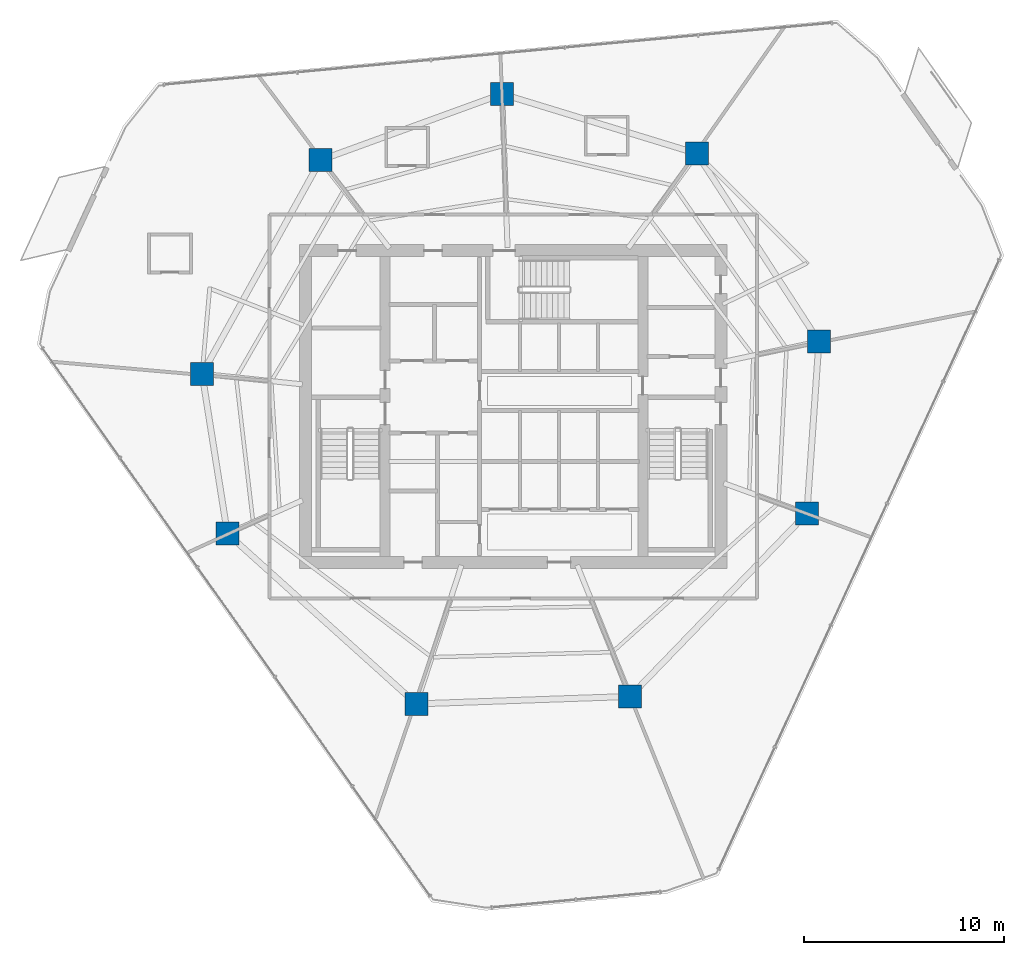
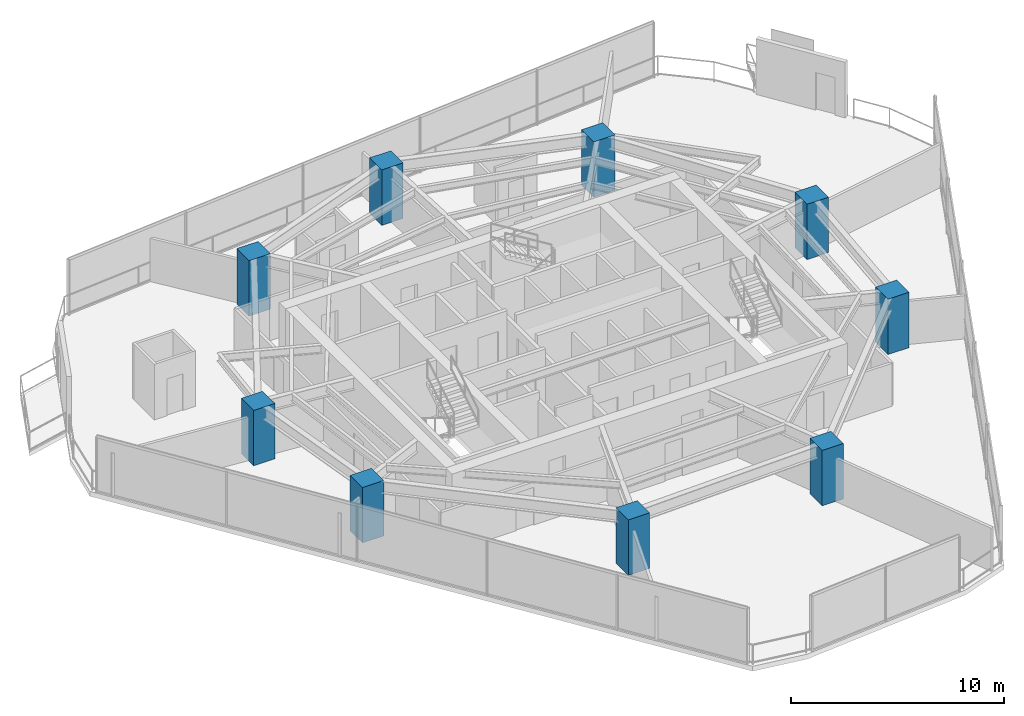
# One storey, part 1 of 30: 9 columns.
"""IFC4 building model written with IfcOpenShell, lengths in metres."""

from ifc_helpers import new_model, si_unit, direction, frame, origin, origin_2d, place, context, subcontext, project, spatial, rectangle, extrude, material, material_profile, profile_set, type_object, element, save


model = new_model("IFC4")

# Units and contexts
model_context = context("Model", 3, precision=1e-05, world=origin(), true_north=direction((0.0, 1.0)))
body_context = subcontext(model_context, "Body", "Model", "MODEL_VIEW")
ifc_project = project(units=[si_unit("LENGTHUNIT", "METRE"), si_unit("AREAUNIT", "SQUARE_METRE"), si_unit("VOLUMEUNIT", "CUBIC_METRE"), si_unit("PLANEANGLEUNIT", "RADIAN"), si_unit("MASSUNIT", "GRAM", prefix="KILO")], contexts=[model_context])

# Site, building, storey
site_placement = place(None, origin())
site = spatial("IfcSite", under=ifc_project, at=site_placement, CompositionType="ELEMENT")
building_placement = place(site_placement, origin())
building = spatial("IfcBuilding", under=site, at=building_placement, Name="Qarnah Convention Tower", CompositionType="ELEMENT")
storey_placement = place(building_placement, frame((0.0, 0.0, 86.699951171875)))
storey = spatial("IfcBuildingStorey", under=building, at=storey_placement, Name="L22", CompositionType="ELEMENT", Elevation=86.699951171875)

# Columns
ifc_material = material(Name="Concrete C60/75", Category="concrete")
ifc_material_profile = material_profile(ifc_material, rectangle(XDim=1.14990234375, YDim=1.14990234375, at=origin_2d()), Name="RC-COL-1150X1150")
ifc_profile_set = profile_set([ifc_material_profile], Name="Concrete C60/75")
column_type = type_object("IfcColumnType", Name="COL-Z2-1150", PredefinedType="COLUMN", material=ifc_profile_set)
for number, where, z_axis, x_axis, name in (
    (1, (52.508056640625, 29.654052734375, 0.0), (0.0, 0.0, 1.0), (1.0, 0.0, 0.0), "L22 plumb column PC-Z2-01"),
    (2, (46.39892578125, 39.06103515625, 0.0), (0.0, 0.0, 1.0), (1.0, 0.0, 0.0), "L22 plumb column PC-Z2-02"),
    (3, (36.654052734375, 42.0400390625, 0.0), (0.0, 0.0, 1.0), (1.0, 0.0, 0.0), "L22 plumb column PC-Z2-03"),
    (4, (27.56494140625, 38.73193359375, 0.0), (0.0, 0.0, 1.0), (1.0, 0.0, 0.0), "L22 plumb column PC-Z2-04"),
    (5, (21.635986328125, 28.035888671875, 0.0), (0.0, 0.0, 1.0), (1.0, 0.0, 0.0), "L22 plumb column PC-Z2-05"),
    (6, (22.903076171875, 20.034912109375, 0.0), (0.0, 0.0, 1.0), (1.0, 0.0, 0.0), "L22 plumb column PC-Z2-06"),
    (7, (32.364013671875, 11.51611328125, 0.0), (0.0, 0.0, 1.0), (1.0, 0.0, 0.0), "L22 plumb column PC-Z2-07"),
    (8, (43.06298828125, 11.889892578125, 0.0), (0.0, 0.0, 1.0), (1.0, 0.0, 0.0), "L22 plumb column PC-Z2-08"),
    (9, (51.906005859375, 21.047119140625, 0.0), (0.0, 0.0, 1.0), (1.0, 0.0, 0.0), "L22 plumb column PC-Z2-09"),
):
    element("IfcColumn", number, at=place(storey_placement, frame(where, z_axis=z_axis, x_axis=x_axis)), inside=storey, type_object=column_type, Name=name, PredefinedType="COLUMN", context=body_context, shape_type="SweptSolid", body=[
        extrude(rectangle(XDim=1.14990234375, YDim=1.14990234375, at=origin_2d()), origin(), (0.0, 0.0, 1.0), 3.170166015625),
    ])

save(model, "model.ifc")
